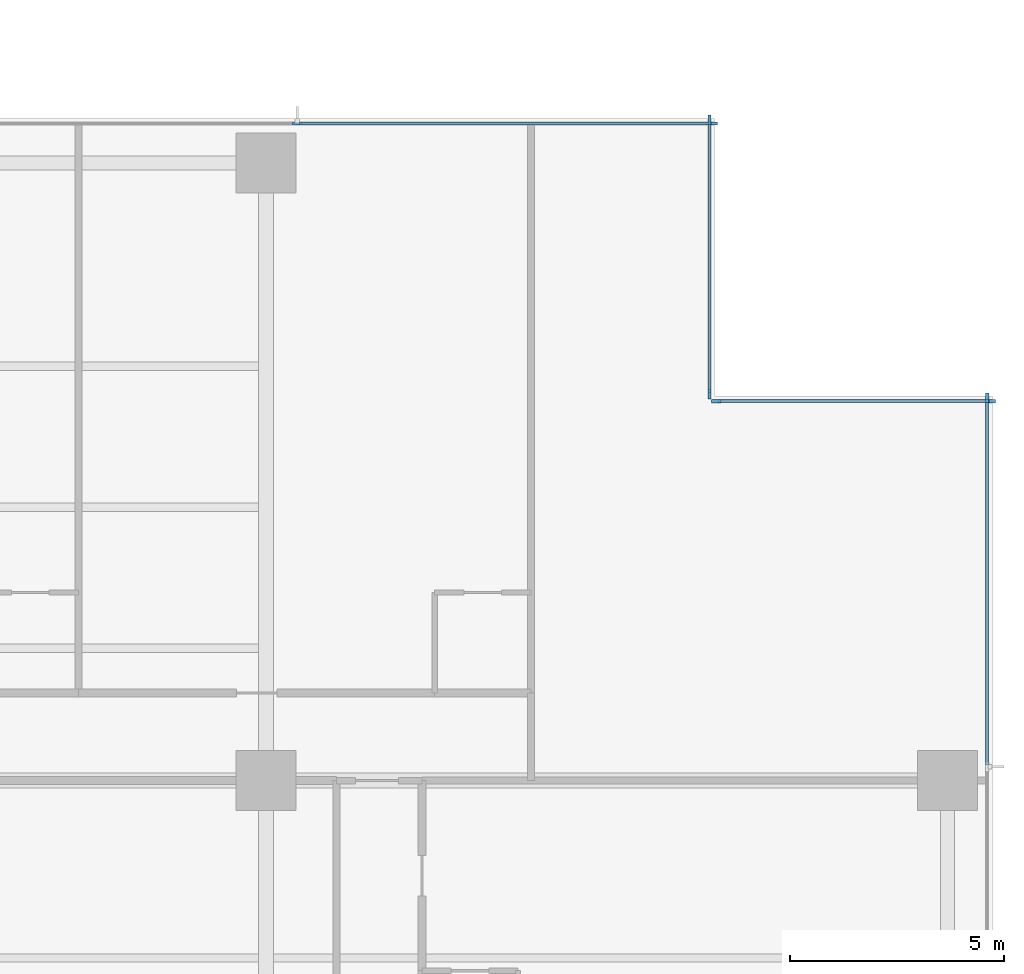
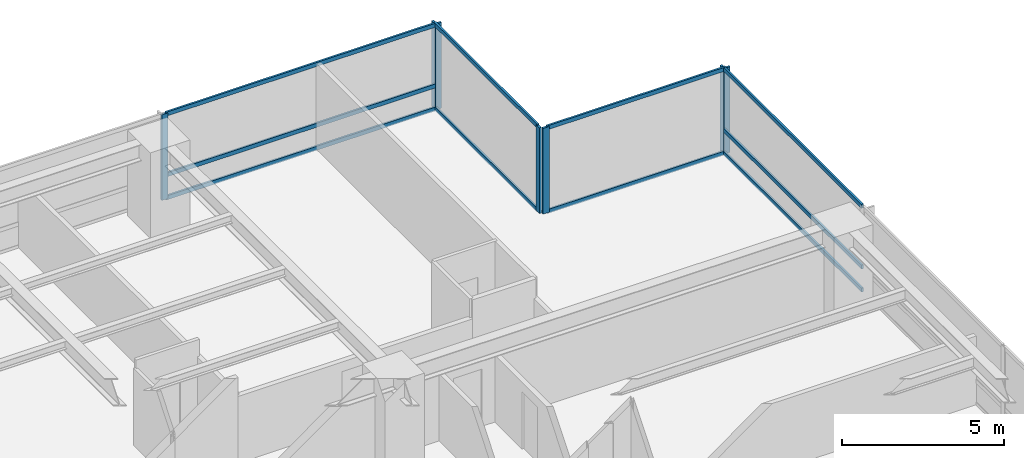
# One storey, part 5 of 17: 17 members, 4 elements without a shape of their own.
"""IFC4 building model written with IfcOpenShell, lengths in metres."""

from ifc_helpers import new_model, si_unit, direction, frame, origin, origin_2d, place, context, subcontext, project, spatial, rectangle, extrude, material, layer, layer_set, material_profile, profile_set, type_object, element, aggregate, save


model = new_model("IFC4")

# Units and contexts
model_context = context("Model", 3, precision=1e-05, world=origin(), true_north=direction((0.0, 1.0)))
body_context = subcontext(model_context, "Body", "Model", "MODEL_VIEW")
ifc_project = project(units=[si_unit("LENGTHUNIT", "METRE"), si_unit("AREAUNIT", "SQUARE_METRE"), si_unit("VOLUMEUNIT", "CUBIC_METRE"), si_unit("PLANEANGLEUNIT", "RADIAN"), si_unit("MASSUNIT", "GRAM", prefix="KILO")], contexts=[model_context])

# Site, building, storey
site_placement = place(None, origin())
site = spatial("IfcSite", under=ifc_project, at=site_placement, CompositionType="ELEMENT")
building_placement = place(site_placement, origin())
building = spatial("IfcBuilding", under=site, at=building_placement, Name="Qalmaran Belvedere Hotel", CompositionType="ELEMENT")
storey_placement = place(building_placement, frame((0.0, 0.0, 68.39990234375)))
storey = spatial("IfcBuildingStorey", under=building, at=storey_placement, Name="L17", CompositionType="ELEMENT", Elevation=68.39990234375)

# Curtain wall, member
ifc_material = material(Name="Anodised Bronze Aluminium", Category="aluminium")
ifc_layer = layer(ifc_material, 0.2099609375, Name="Anodised Bronze Aluminium")
ifc_layer_set = layer_set([ifc_layer], Name="Anodised Bronze Aluminium")
curtain_wall_type = type_object("IfcCurtainWallType", Name="CW2-TOWER-LOWER", PredefinedType="NOTDEFINED", material=ifc_layer_set)
curtain_wall_1_placement = place(storey_placement, origin())
curtain_wall_1 = element("IfcCurtainWall", 1, at=curtain_wall_1_placement, inside=storey, type_object=curtain_wall_type, Name="L17 Curtain Wall CW2", PredefinedType="NOTDEFINED")
ifc_material_profile_1 = material_profile(ifc_material, rectangle(XDim=0.074951171875, YDim=0.219970703125, at=origin_2d()), Name="CWM75X220")
ifc_profile_set_1 = profile_set([ifc_material_profile_1], Name="Anodised Bronze Aluminium")
member_type_1 = type_object("IfcMemberType", Name="CWM-75X220", PredefinedType="MULLION", material=ifc_profile_set_1)
member_1_placement = place(storey_placement, frame((61.679931640625, 41.96240234375, 0.0), z_axis=(0.0, 0.0, 1.0), x_axis=(-1.0, 0.0, 0.0)))
member_1 = element("IfcMember", 2, at=member_1_placement, type_object=member_type_1, Name="CW2 mullion 5", PredefinedType="MULLION", context=body_context, shape_type="SweptSolid", body=[
    extrude(rectangle(XDim=0.074951171875, YDim=0.219970703125, at=origin_2d()), origin(), (0.0, 0.0, 1.0), 3.22021484375),
])

# Curtain wall, members
curtain_wall_2_placement = place(storey_placement, origin())
curtain_wall_2 = element("IfcCurtainWall", 3, at=curtain_wall_2_placement, inside=storey, type_object=curtain_wall_type, Name="L17 Curtain Wall CW2", PredefinedType="NOTDEFINED")
member_2_placement = place(storey_placement, frame((61.762451171875, 41.8798828125, 0.0), z_axis=(0.0, 0.0, 1.0), x_axis=(0.0, -1.0, 0.0)))
member_2 = element("IfcMember", 4, at=member_2_placement, type_object=member_type_1, Name="CW2 mullion 1", PredefinedType="MULLION", context=body_context, shape_type="SweptSolid", body=[
    extrude(rectangle(XDim=0.074951171875, YDim=0.219970703125, at=origin_2d()), origin(), (0.0, 0.0, 1.0), 3.22021484375),
])
member_3_placement = place(storey_placement, frame((55.33740234375, 41.8798828125, 0.0), z_axis=(0.0, 0.0, 1.0), x_axis=(0.0, -1.0, 0.0)))
member_3 = element("IfcMember", 5, at=member_3_placement, type_object=member_type_1, Name="CW2 mullion 2", PredefinedType="MULLION", context=body_context, shape_type="SweptSolid", body=[
    extrude(rectangle(XDim=0.074951171875, YDim=0.219970703125, at=origin_2d()), origin(), (0.0, 0.0, 1.0), 3.22021484375),
])

curtain_wall_3_placement = place(storey_placement, origin())
curtain_wall_3 = element("IfcCurtainWall", 6, at=curtain_wall_3_placement, inside=storey, type_object=curtain_wall_type, Name="L17 Curtain Wall CW2", PredefinedType="NOTDEFINED")
member_4_placement = place(storey_placement, frame((55.179931640625, 42.03759765625, 0.0), z_axis=(0.0, 0.0, 1.0), x_axis=(-1.0, 0.0, 0.0)))
member_4 = element("IfcMember", 7, at=member_4_placement, type_object=member_type_1, Name="CW2 mullion 1", PredefinedType="MULLION", context=body_context, shape_type="SweptSolid", body=[
    extrude(rectangle(XDim=0.074951171875, YDim=0.219970703125, at=origin_2d()), origin(), (0.0, 0.0, 1.0), 3.22021484375),
])
member_5_placement = place(storey_placement, frame((55.179931640625, 48.46240234375, 0.0), z_axis=(0.0, 0.0, 1.0), x_axis=(-1.0, 0.0, 0.0)))
member_5 = element("IfcMember", 8, at=member_5_placement, type_object=member_type_1, Name="CW2 mullion 2", PredefinedType="MULLION", context=body_context, shape_type="SweptSolid", body=[
    extrude(rectangle(XDim=0.074951171875, YDim=0.219970703125, at=origin_2d()), origin(), (0.0, 0.0, 1.0), 3.22021484375),
])

curtain_wall_4_placement = place(storey_placement, origin())
curtain_wall_4 = element("IfcCurtainWall", 9, at=curtain_wall_4_placement, inside=storey, type_object=curtain_wall_type, Name="L17 Curtain Wall CW2", PredefinedType="NOTDEFINED")
member_6_placement = place(storey_placement, frame((55.262451171875, 48.3798828125, 0.0), z_axis=(0.0, 0.0, 1.0), x_axis=(0.0, -1.0, 0.0)))
member_6 = element("IfcMember", 10, at=member_6_placement, type_object=member_type_1, Name="CW2 mullion 1", PredefinedType="MULLION", context=body_context, shape_type="SweptSolid", body=[
    extrude(rectangle(XDim=0.074951171875, YDim=0.219970703125, at=origin_2d()), origin(), (0.0, 0.0, 1.0), 3.22021484375),
])
member_7_placement = place(storey_placement, frame((45.533447265625, 48.3798828125, 0.0), z_axis=(0.0, 0.0, 1.0), x_axis=(0.0, -1.0, 0.0)))
member_7 = element("IfcMember", 11, at=member_7_placement, type_object=member_type_1, Name="CW2 mullion 2", PredefinedType="MULLION", context=body_context, shape_type="SweptSolid", body=[
    extrude(rectangle(XDim=0.074951171875, YDim=0.219970703125, at=origin_2d()), origin(), (0.0, 0.0, 1.0), 3.22021484375),
])

# Member
ifc_material_profile_2 = material_profile(ifc_material, rectangle(XDim=0.070068359375, YDim=0.14990234375, at=origin_2d()), Name="CWT70X150")
ifc_profile_set_2 = profile_set([ifc_material_profile_2], Name="Anodised Bronze Aluminium")
member_type_2 = type_object("IfcMemberType", Name="CWT-70X150", PredefinedType="USERDEFINED", material=ifc_profile_set_2)
member_8_placement = place(storey_placement, frame((61.679931640625, 33.362548828125, 0.03515625), z_axis=(0.0, 1.0, 0.0), x_axis=(-1.0, 0.0, 0.0)))
member_8 = element("IfcMember", 12, at=member_8_placement, type_object=member_type_2, Name="CW2 transom 4.1", ObjectType="TRANSOM", PredefinedType="USERDEFINED", context=body_context, shape_type="SweptSolid", body=[
    extrude(rectangle(XDim=0.070068359375, YDim=0.14990234375, at=origin_2d()), origin(), (0.0, 0.0, 1.0), 8.5625),
])

member_9_placement = place(storey_placement, frame((61.679931640625, 33.362548828125, 0.901611328125), z_axis=(0.0, 1.0, 0.0), x_axis=(-1.0, 0.0, 0.0)))
member_9 = element("IfcMember", 13, at=member_9_placement, type_object=member_type_2, Name="CW2 transom 4.2", ObjectType="TRANSOM", PredefinedType="USERDEFINED", context=body_context, shape_type="SweptSolid", body=[
    extrude(rectangle(XDim=0.070068359375, YDim=0.14990234375, at=origin_2d()), origin(), (0.0, 0.0, 1.0), 8.5625),
])

member_10_placement = place(storey_placement, frame((61.679931640625, 33.362548828125, 3.18505859375), z_axis=(0.0, 1.0, 0.0), x_axis=(-1.0, 0.0, 0.0)))
member_10 = element("IfcMember", 14, at=member_10_placement, type_object=member_type_2, Name="CW2 transom 4.3", ObjectType="TRANSOM", PredefinedType="USERDEFINED", context=body_context, shape_type="SweptSolid", body=[
    extrude(rectangle(XDim=0.070068359375, YDim=0.14990234375, at=origin_2d()), origin(), (0.0, 0.0, 1.0), 8.5625),
])

aggregate(curtain_wall_1, [member_1, member_8, member_9, member_10])

member_11_placement = place(storey_placement, frame((61.72509765625, 41.8798828125, 0.03515625), z_axis=(-1.0, 0.0, 0.0), x_axis=(0.0, -1.0, 0.0)))
member_11 = element("IfcMember", 15, at=member_11_placement, type_object=member_type_2, Name="CW2 transom 1.1", ObjectType="TRANSOM", PredefinedType="USERDEFINED", context=body_context, shape_type="SweptSolid", body=[
    extrude(rectangle(XDim=0.070068359375, YDim=0.14990234375, at=origin_2d()), origin(), (0.0, 0.0, 1.0), 6.35009765625),
])

member_12_placement = place(storey_placement, frame((61.72509765625, 41.8798828125, 3.18505859375), z_axis=(-1.0, 0.0, 0.0), x_axis=(0.0, -1.0, 0.0)))
member_12 = element("IfcMember", 16, at=member_12_placement, type_object=member_type_2, Name="CW2 transom 1.2", ObjectType="TRANSOM", PredefinedType="USERDEFINED", context=body_context, shape_type="SweptSolid", body=[
    extrude(rectangle(XDim=0.070068359375, YDim=0.14990234375, at=origin_2d()), origin(), (0.0, 0.0, 1.0), 6.35009765625),
])

aggregate(curtain_wall_2, [member_2, member_3, member_11, member_12])

member_13_placement = place(storey_placement, frame((55.179931640625, 42.074951171875, 0.03515625), z_axis=(0.0, 1.0, 0.0), x_axis=(-1.0, 0.0, 0.0)))
member_13 = element("IfcMember", 17, at=member_13_placement, type_object=member_type_2, Name="CW2 transom 1.1", ObjectType="TRANSOM", PredefinedType="USERDEFINED", context=body_context, shape_type="SweptSolid", body=[
    extrude(rectangle(XDim=0.070068359375, YDim=0.14990234375, at=origin_2d()), origin(), (0.0, 0.0, 1.0), 6.35009765625),
])

member_14_placement = place(storey_placement, frame((55.179931640625, 42.074951171875, 3.18505859375), z_axis=(0.0, 1.0, 0.0), x_axis=(-1.0, 0.0, 0.0)))
member_14 = element("IfcMember", 18, at=member_14_placement, type_object=member_type_2, Name="CW2 transom 1.2", ObjectType="TRANSOM", PredefinedType="USERDEFINED", context=body_context, shape_type="SweptSolid", body=[
    extrude(rectangle(XDim=0.070068359375, YDim=0.14990234375, at=origin_2d()), origin(), (0.0, 0.0, 1.0), 6.35009765625),
])

aggregate(curtain_wall_3, [member_4, member_5, member_13, member_14])

member_15_placement = place(storey_placement, frame((55.22509765625, 48.3798828125, 0.03515625), z_axis=(-1.0, 0.0, 0.0), x_axis=(0.0, -1.0, 0.0)))
member_15 = element("IfcMember", 19, at=member_15_placement, type_object=member_type_2, Name="CW2 transom 1.1", ObjectType="TRANSOM", PredefinedType="USERDEFINED", context=body_context, shape_type="SweptSolid", body=[
    extrude(rectangle(XDim=0.070068359375, YDim=0.14990234375, at=origin_2d()), origin(), (0.0, 0.0, 1.0), 9.654296875),
])

member_16_placement = place(storey_placement, frame((55.22509765625, 48.3798828125, 0.901611328125), z_axis=(-1.0, 0.0, 0.0), x_axis=(0.0, -1.0, 0.0)))
member_16 = element("IfcMember", 20, at=member_16_placement, type_object=member_type_2, Name="CW2 transom 1.2", ObjectType="TRANSOM", PredefinedType="USERDEFINED", context=body_context, shape_type="SweptSolid", body=[
    extrude(rectangle(XDim=0.070068359375, YDim=0.14990234375, at=origin_2d()), origin(), (0.0, 0.0, 1.0), 9.654296875),
])

member_17_placement = place(storey_placement, frame((55.22509765625, 48.3798828125, 3.18505859375), z_axis=(-1.0, 0.0, 0.0), x_axis=(0.0, -1.0, 0.0)))
member_17 = element("IfcMember", 21, at=member_17_placement, type_object=member_type_2, Name="CW2 transom 1.3", ObjectType="TRANSOM", PredefinedType="USERDEFINED", context=body_context, shape_type="SweptSolid", body=[
    extrude(rectangle(XDim=0.070068359375, YDim=0.14990234375, at=origin_2d()), origin(), (0.0, 0.0, 1.0), 9.654296875),
])

aggregate(curtain_wall_4, [member_6, member_7, member_15, member_16, member_17])

save(model, "model.ifc")
